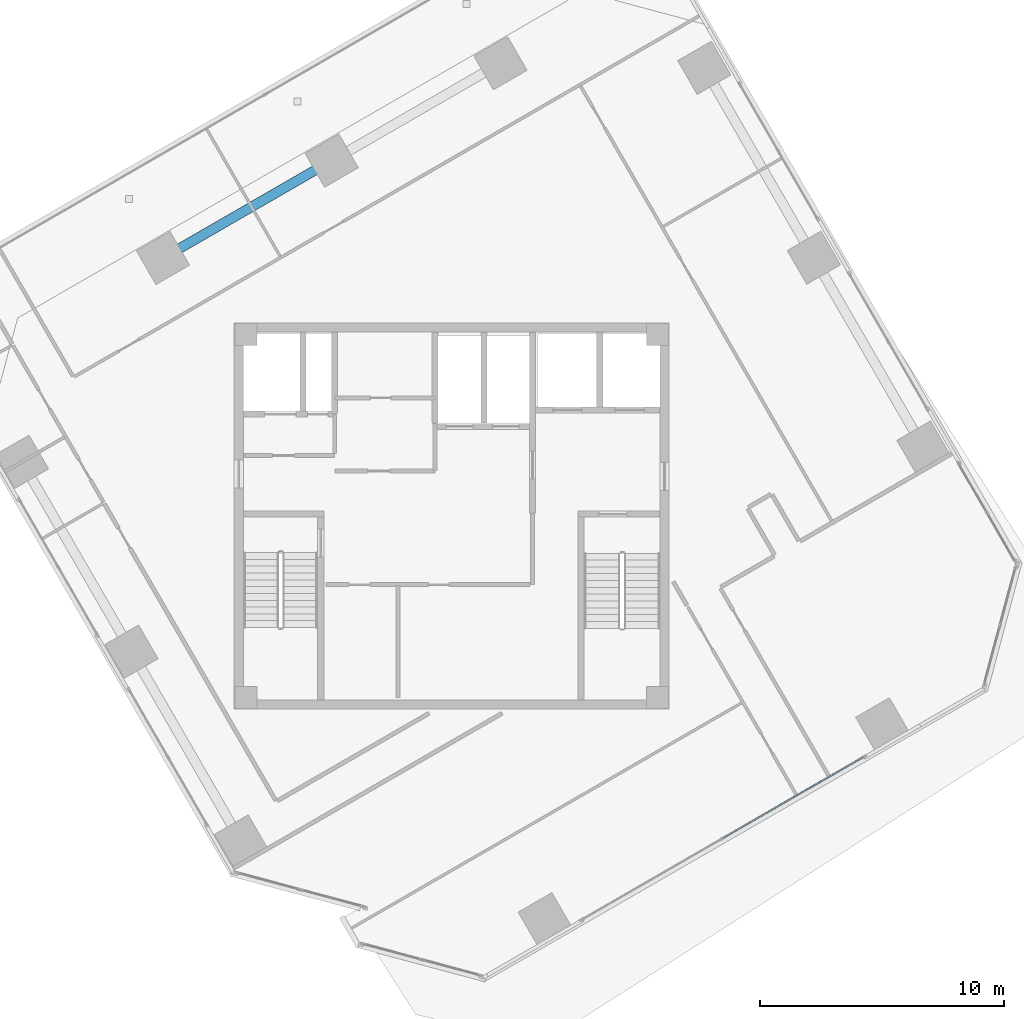
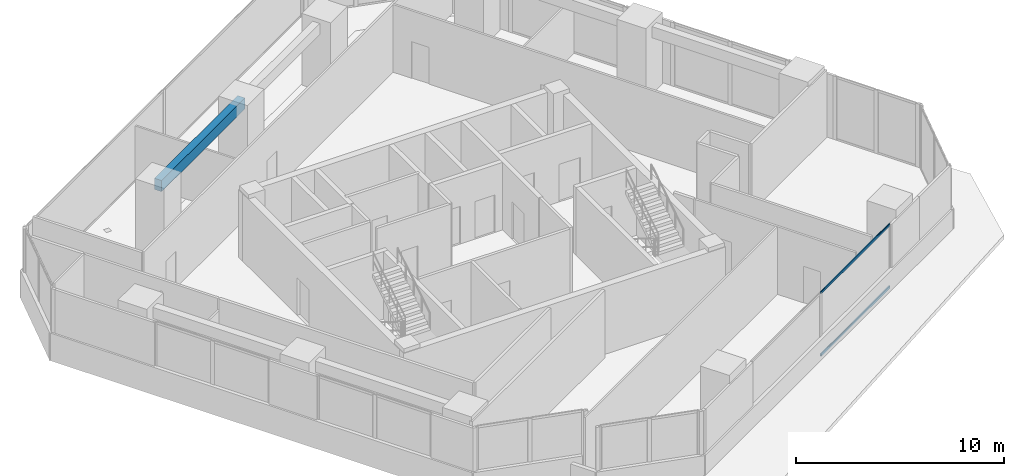
# One storey, part 5 of 16: 2 members, 1 beam, 1 element without a shape of its own.
"""IFC4 building model written with IfcOpenShell, lengths in metres."""

from ifc_helpers import new_model, si_unit, direction, frame, origin, origin_2d, place, context, subcontext, project, spatial, rectangle, hollow_rectangle, extrude, source, transform, mapped, material, material_profile, profile_set, type_object, element, aggregate, save


model = new_model("IFC4")

# Units and contexts
model_context = context("Model", 3, precision=1e-05, world=origin(), true_north=direction((0.0, 1.0)))
body_context = subcontext(model_context, "Body", "Model", "MODEL_VIEW")
ifc_project = project(units=[si_unit("LENGTHUNIT", "METRE"), si_unit("AREAUNIT", "SQUARE_METRE"), si_unit("VOLUMEUNIT", "CUBIC_METRE"), si_unit("PLANEANGLEUNIT", "RADIAN"), si_unit("MASSUNIT", "GRAM", prefix="KILO")], contexts=[model_context])

# Site, building, storey
site_placement = place(None, origin())
site = spatial("IfcSite", under=ifc_project, at=site_placement, CompositionType="ELEMENT")
building_placement = place(site_placement, origin())
building = spatial("IfcBuilding", under=site, at=building_placement, Name="Torre Montelarca", CompositionType="ELEMENT")
storey_placement = place(building_placement, frame((0.0, 0.0, 319.800048828125)))
storey = spatial("IfcBuildingStorey", under=building, at=storey_placement, Name="L72", CompositionType="ELEMENT", Elevation=319.800048828125)

# Beam
ifc_material_1 = material(Name="Concrete C40/50", Category="concrete")
ifc_material_profile_1 = material_profile(ifc_material_1, rectangle(XDim=0.39990234375, YDim=0.64990234375, at=origin_2d()), Name="RCB400X650", Category="concrete")
ifc_profile_set_1 = profile_set([ifc_material_profile_1], Name="Concrete C40/50")
beam_type = type_object("IfcBeamType", Name="BM-SP-RC650-EXT", PredefinedType="SPANDREL", material=ifc_profile_set_1)
shared_shape_1 = source(origin(), body_context, "Body", "SweptSolid", [
    extrude(rectangle(XDim=0.39990234375, YDim=0.64990234375, at=origin_2d()), origin(), (0.0, 0.0, 1.0), 8.0),
])
beam_placement = place(storey_placement, frame((6.146728515625, 42.592529296875, 3.635009765625), z_axis=(0.866026010844, 0.49999894854, 0.0), x_axis=(-0.49999894854, 0.866026010844, 0.0)))
element("IfcBeam", 1, at=beam_placement, inside=storey, type_object=beam_type, Name="L72 Grid Girder Y 24.0-32.0 at X=4.7", PredefinedType="SPANDREL", context=body_context, shape_type="MappedRepresentation", body=[
    mapped(shared_shape_1, transform((0.0, 0.0, 0.0), scale=1.0)),
])

# Curtain wall, members
ifc_material_2 = material(Name="Insulated low-E laminated glass", Category="glass")
curtain_wall_type = type_object("IfcCurtainWallType", Name="CW-SYS-Z4", PredefinedType="USERDEFINED", material=ifc_material_2)
curtain_wall_placement = place(storey_placement, origin())
curtain_wall = element("IfcCurtainWall", 2, at=curtain_wall_placement, inside=storey, type_object=curtain_wall_type, Name="L72 Curtain Wall Run CW-T3-L72-E06-B1", ObjectType="UNITISED GLAZING", PredefinedType="USERDEFINED")
ifc_material_3 = material(Name="Anodised aluminium AA 6063-T6", Category="aluminium")
ifc_material_profile_2 = material_profile(ifc_material_3, hollow_rectangle(XDim=0.06494140625, YDim=0.139892578125, WallThickness=0.00390625, InnerFilletRadius=0.00390625, OuterFilletRadius=0.008056640625, at=origin_2d()), Name="ALU65X140X4", Category="aluminium")
ifc_profile_set_2 = profile_set([ifc_material_profile_2], Name="Anodised aluminium AA 6063-T6")
member_type = type_object("IfcMemberType", Name="CWT-ALU140", PredefinedType="USERDEFINED", material=ifc_profile_set_2)
shared_shape_2 = source(origin(), body_context, "Body", "SweptSolid", [
    extrude(hollow_rectangle(XDim=0.06494140625, YDim=0.139892578125, WallThickness=0.00390625, InnerFilletRadius=0.00390625, OuterFilletRadius=0.008056640625, at=origin_2d()), origin(), (0.0, 0.0, 1.0), 6.607421875),
])
member_1_placement = place(storey_placement, frame((29.16748046875, 18.79443359375, 0.032470703125), z_axis=(0.866008373729, 0.500029495762, 0.0), x_axis=(-0.500029495762, 0.866008373729, 0.0)))
member_1 = element("IfcMember", 3, at=member_1_placement, type_object=member_type, Name="CW transom 2.1", ObjectType="TRANSOM", PredefinedType="USERDEFINED", context=body_context, shape_type="MappedRepresentation", body=[
    mapped(shared_shape_2, transform((0.0, 0.0, 0.0), scale=1.0)),
])
member_2_placement = place(storey_placement, frame((29.16748046875, 18.79443359375, 3.6875), z_axis=(0.866008373729, 0.500029495762, 0.0), x_axis=(-0.500029495762, 0.866008373729, 0.0)))
member_2 = element("IfcMember", 4, at=member_2_placement, type_object=member_type, Name="CW transom 2.2", ObjectType="TRANSOM", PredefinedType="USERDEFINED", context=body_context, shape_type="MappedRepresentation", body=[
    mapped(shared_shape_2, transform((0.0, 0.0, 0.0), scale=1.0)),
])
aggregate(curtain_wall, [member_1, member_2])

save(model, "model.ifc")
